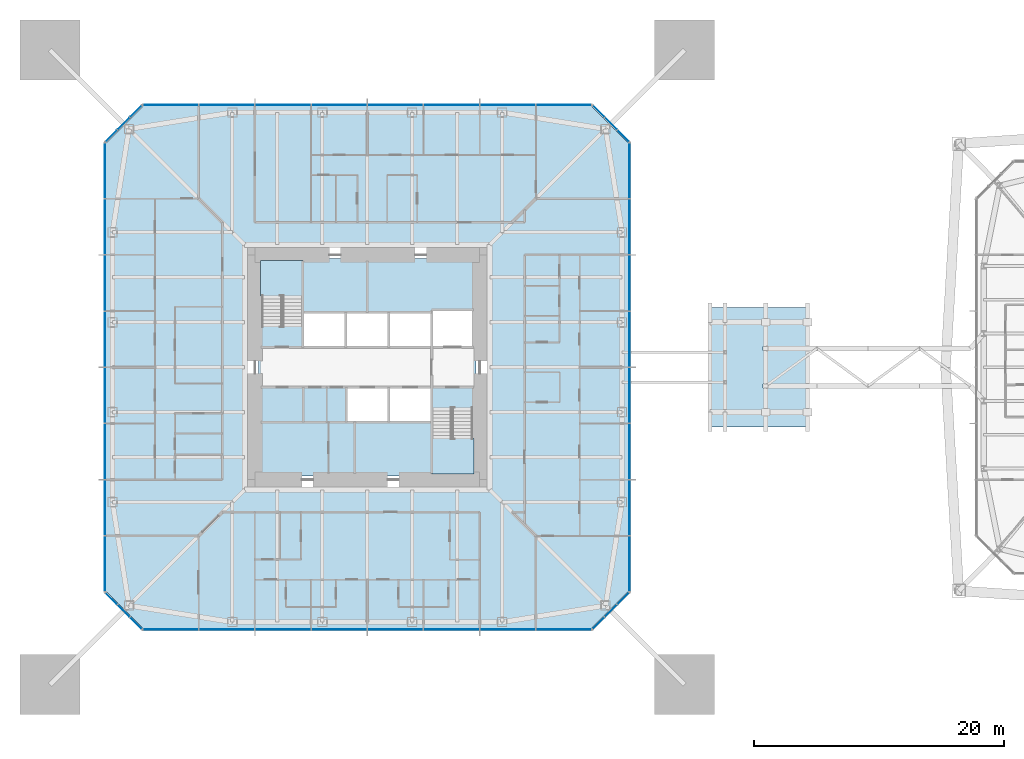
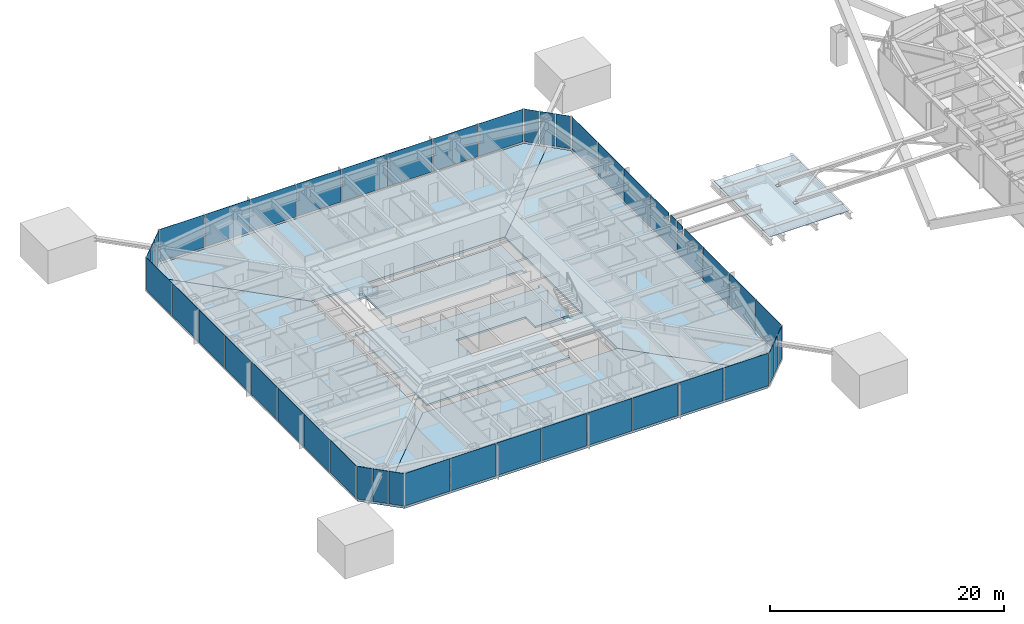
# One storey, part 13 of 27: 49 plates, 8 slabs, 10 elements without a shape of their own.
"""IFC4 building model written with IfcOpenShell, lengths in metres."""

from ifc_helpers import new_model, si_unit, direction, frame, origin, origin_2d, place, context, subcontext, project, spatial, polyline, rectangle, outline, extrude, material, layer, layer_set, constituent, constituent_set, type_object, element, aggregate, save


model = new_model("IFC4")

# Units and contexts
model_context = context("Model", 3, precision=1e-05, world=origin(), true_north=direction((0.0, 1.0)))
body_context = subcontext(model_context, "Body", "Model", "MODEL_VIEW")
ifc_project = project(units=[si_unit("LENGTHUNIT", "METRE"), si_unit("AREAUNIT", "SQUARE_METRE"), si_unit("VOLUMEUNIT", "CUBIC_METRE"), si_unit("PLANEANGLEUNIT", "RADIAN"), si_unit("MASSUNIT", "GRAM", prefix="KILO")], contexts=[model_context])

# Site, building, storey
site_placement = place(None, origin())
site = spatial("IfcSite", under=ifc_project, at=site_placement, CompositionType="ELEMENT")
building_placement = place(site_placement, origin())
building = spatial("IfcBuilding", under=site, at=building_placement, Name="Iwan Alto Co-Living Towers", CompositionType="ELEMENT")
storey_placement = place(building_placement, frame((0.0, 0.0, 94.5)))
storey = spatial("IfcBuildingStorey", under=building, at=storey_placement, Name="L25", CompositionType="ELEMENT", Elevation=94.5)

# Plate
ifc_material_1 = material(Name="Stainless steel ASTM A240 Type 316", Category="steel")
ifc_layer_1 = layer(ifc_material_1, 0.0029296875, Name="Stainless steel facing", Category="Finish")
ifc_material_2 = material(Name="Steel ASTM A36", Category="steel")
ifc_layer_2 = layer(ifc_material_2, 0.037109375, Name="Steel plate", Category="LoadBearing")
ifc_layer_set_1 = layer_set([ifc_layer_1, ifc_layer_2], Name="BRIDGE SLIDE PLATE 40")
plate_type_1 = type_object("IfcPlateType", Name="BRIDGE SLIDE PLATE 40", PredefinedType="USERDEFINED", material=ifc_layer_set_1)
plate_1_placement = place(storey_placement, frame((0.0, 0.0, 2.437744140625)))
element("IfcPlate", 1, at=plate_1_placement, inside=storey, type_object=plate_type_1, Name="Skybridge BR1 slide plate", ObjectType="SLIDE PLATE", PredefinedType="USERDEFINED", context=body_context, shape_type="SweptSolid", body=[
    extrude(outline(polyline([(27.423828125, -4.800048828125), (35.25, -4.800048828125), (35.25, 4.800048828125), (27.423828125, 4.800048828125), (27.423828125, -4.800048828125)]), holes=[polyline([(31.68994140625, -1.659912109375), (32.110107421875, -1.659912109375), (32.110107421875, -1.340087890625), (31.68994140625, -1.340087890625), (31.68994140625, -1.659912109375)]), polyline([(31.68994140625, 1.340087890625), (32.110107421875, 1.340087890625), (32.110107421875, 1.659912109375), (31.68994140625, 1.659912109375), (31.68994140625, 1.340087890625)])]), origin(), (0.0, 0.0, 1.0), 0.0400390625),
])

# Slabs
ifc_material_3 = material(Name="Concrete f'c 30 MPa", Category="concrete")
ifc_layer_3 = layer(ifc_material_3, 0.199951171875)
ifc_layer_set_2 = layer_set([ifc_layer_3], Name="CORE FLOOR SLAB 200")
slab_type_1 = type_object("IfcSlabType", Name="CORE FLOOR SLAB 200", PredefinedType="FLOOR", material=ifc_layer_set_2)
slab_1_placement = place(storey_placement, frame((0.0, 0.0, -0.199951171875)))
element("IfcSlab", 2, at=slab_1_placement, inside=storey, type_object=slab_type_1, Name="T1 core floor L25", PredefinedType="FLOOR", context=body_context, shape_type="SweptSolid", body=[
    extrude(outline(polyline([(5.14990234375, -1.60009765625), (1.72509765625, -1.60009765625), (-1.699951171875, -1.60009765625), (-1.699951171875, -4.39990234375), (1.72509765625, -4.39990234375), (5.14990234375, -4.39990234375), (5.14990234375, -8.39990234375), (5.4599609375, -8.39990234375), (5.4599609375, -8.699951171875), (-8.699951171875, -8.699951171875), (-8.699951171875, 3.580078125), (-8.39990234375, 3.580078125), (-8.39990234375, 3.27001953125), (-5.14990234375, 3.27001953125), (-5.14990234375, 1.60009765625), (-1.717041015625, 1.60009765625), (1.717041015625, 1.60009765625), (5.14990234375, 1.60009765625), (8.39990234375, 1.60009765625), (8.39990234375, 1.909912109375), (8.699951171875, 1.909912109375), (8.699951171875, -3.580078125), (8.39990234375, -3.580078125), (8.39990234375, -3.27001953125), (5.14990234375, -3.27001953125), (5.14990234375, -1.60009765625)])), origin(), (0.0, 0.0, 1.0), 0.199951171875),
])
slab_2_placement = place(storey_placement, frame((0.0, 0.0, -0.199951171875)))
element("IfcSlab", 3, at=slab_2_placement, inside=storey, type_object=slab_type_1, Name="T1 core floor L25", PredefinedType="FLOOR", context=body_context, shape_type="SweptSolid", body=[
    extrude(outline(polyline([(1.717041015625, 4.39990234375), (-1.717041015625, 4.39990234375), (-5.14990234375, 4.39990234375), (-5.14990234375, 8.39990234375), (-5.4599609375, 8.39990234375), (-5.4599609375, 8.699951171875), (8.699951171875, 8.699951171875), (8.699951171875, 4.2900390625), (8.39990234375, 4.2900390625), (8.39990234375, 4.60009765625), (5.14990234375, 4.60009765625), (5.14990234375, 4.39990234375), (1.717041015625, 4.39990234375)])), origin(), (0.0, 0.0, 1.0), 0.199951171875),
])

# Curtain wall, plates
ifc_material_4 = material(Name="Bronze aluminium unitised frame", Category="aluminium")
curtain_wall_type_1 = type_object("IfcCurtainWallType", Name="CURTAIN WALL CW-A", PredefinedType="NOTDEFINED", material=ifc_material_4)
curtain_wall_1_placement = place(storey_placement, origin())
curtain_wall_1 = element("IfcCurtainWall", 4, at=curtain_wall_1_placement, inside=storey, type_object=curtain_wall_type_1, Name="T1 curtain wall S L25", PredefinedType="NOTDEFINED")
ifc_material_5 = material(Name="Bronze-tinted insulating glass", Category="glass")
ifc_layer_4 = layer(ifc_material_5, 0.031982421875)
ifc_layer_set_3 = layer_set([ifc_layer_4], Name="CW-A PANEL TINTED IGU 32")
plate_type_2 = type_object("IfcPlateType", Name="CW-A PANEL TINTED IGU 32", PredefinedType="CURTAIN_PANEL", material=ifc_layer_set_3)
plate_2_placement = place(storey_placement, frame((-15.72998046875, -21.0, 0.10009765625), z_axis=(0.0, 0.0, 1.0), x_axis=(1.0, 0.0, 0.0)))
plate_2 = element("IfcPlate", 5, at=plate_2_placement, type_object=plate_type_2, Name="CW-A panel 1.1", PredefinedType="CURTAIN_PANEL", context=body_context, shape_type="SweptSolid", body=[
    extrude(rectangle(XDim=4.3798828125, YDim=0.031982421875, at=origin_2d()), origin(), (0.0, 0.0, 1.0), 3.39990234375),
])
plate_3_placement = place(storey_placement, frame((-11.25, -21.0, 0.10009765625), z_axis=(0.0, 0.0, 1.0), x_axis=(1.0, 0.0, 0.0)))
plate_3 = element("IfcPlate", 6, at=plate_3_placement, type_object=plate_type_2, Name="CW-A panel 2.1", PredefinedType="CURTAIN_PANEL", context=body_context, shape_type="SweptSolid", body=[
    extrude(rectangle(XDim=4.419921875, YDim=0.031982421875, at=origin_2d()), origin(), (0.0, 0.0, 1.0), 3.39990234375),
])
plate_4_placement = place(storey_placement, frame((-6.75, -21.0, 0.10009765625), z_axis=(0.0, 0.0, 1.0), x_axis=(1.0, 0.0, 0.0)))
plate_4 = element("IfcPlate", 7, at=plate_4_placement, type_object=plate_type_2, Name="CW-A panel 3.1", PredefinedType="CURTAIN_PANEL", context=body_context, shape_type="SweptSolid", body=[
    extrude(rectangle(XDim=4.419921875, YDim=0.031982421875, at=origin_2d()), origin(), (0.0, 0.0, 1.0), 3.39990234375),
])
plate_5_placement = place(storey_placement, frame((-2.25, -21.0, 0.10009765625), z_axis=(0.0, 0.0, 1.0), x_axis=(1.0, 0.0, 0.0)))
plate_5 = element("IfcPlate", 8, at=plate_5_placement, type_object=plate_type_2, Name="CW-A panel 4.1", PredefinedType="CURTAIN_PANEL", context=body_context, shape_type="SweptSolid", body=[
    extrude(rectangle(XDim=4.419921875, YDim=0.031982421875, at=origin_2d()), origin(), (0.0, 0.0, 1.0), 3.39990234375),
])
plate_6_placement = place(storey_placement, frame((2.25, -21.0, 0.10009765625), z_axis=(0.0, 0.0, 1.0), x_axis=(1.0, 0.0, 0.0)))
plate_6 = element("IfcPlate", 9, at=plate_6_placement, type_object=plate_type_2, Name="CW-A panel 5.1", PredefinedType="CURTAIN_PANEL", context=body_context, shape_type="SweptSolid", body=[
    extrude(rectangle(XDim=4.419921875, YDim=0.031982421875, at=origin_2d()), origin(), (0.0, 0.0, 1.0), 3.39990234375),
])
plate_7_placement = place(storey_placement, frame((6.75, -21.0, 0.10009765625), z_axis=(0.0, 0.0, 1.0), x_axis=(1.0, 0.0, 0.0)))
plate_7 = element("IfcPlate", 10, at=plate_7_placement, type_object=plate_type_2, Name="CW-A panel 6.1", PredefinedType="CURTAIN_PANEL", context=body_context, shape_type="SweptSolid", body=[
    extrude(rectangle(XDim=4.419921875, YDim=0.031982421875, at=origin_2d()), origin(), (0.0, 0.0, 1.0), 3.39990234375),
])
plate_8_placement = place(storey_placement, frame((11.25, -21.0, 0.10009765625), z_axis=(0.0, 0.0, 1.0), x_axis=(1.0, 0.0, 0.0)))
plate_8 = element("IfcPlate", 11, at=plate_8_placement, type_object=plate_type_2, Name="CW-A panel 7.1", PredefinedType="CURTAIN_PANEL", context=body_context, shape_type="SweptSolid", body=[
    extrude(rectangle(XDim=4.419921875, YDim=0.031982421875, at=origin_2d()), origin(), (0.0, 0.0, 1.0), 3.39990234375),
])
plate_9_placement = place(storey_placement, frame((15.72998046875, -21.0, 0.10009765625), z_axis=(0.0, 0.0, 1.0), x_axis=(1.0, 0.0, 0.0)))
plate_9 = element("IfcPlate", 12, at=plate_9_placement, type_object=plate_type_2, Name="CW-A panel 8.1", PredefinedType="CURTAIN_PANEL", context=body_context, shape_type="SweptSolid", body=[
    extrude(rectangle(XDim=4.3798828125, YDim=0.031982421875, at=origin_2d()), origin(), (0.0, 0.0, 1.0), 3.39990234375),
])
aggregate(curtain_wall_1, [plate_2, plate_3, plate_4, plate_5, plate_6, plate_7, plate_8, plate_9])

curtain_wall_2_placement = place(storey_placement, origin())
curtain_wall_2 = element("IfcCurtainWall", 13, at=curtain_wall_2_placement, inside=storey, type_object=curtain_wall_type_1, Name="T1 curtain wall E L25", PredefinedType="NOTDEFINED")
plate_10_placement = place(storey_placement, frame((21.0, -15.72998046875, 0.10009765625), z_axis=(0.0, 0.0, 1.0), x_axis=(0.0, 1.0, 0.0)))
plate_10 = element("IfcPlate", 14, at=plate_10_placement, type_object=plate_type_2, Name="CW-A panel 1.1", PredefinedType="CURTAIN_PANEL", context=body_context, shape_type="SweptSolid", body=[
    extrude(rectangle(XDim=4.3798828125, YDim=0.031982421875, at=origin_2d()), origin(), (0.0, 0.0, 1.0), 3.39990234375),
])
plate_11_placement = place(storey_placement, frame((21.0, -11.25, 0.10009765625), z_axis=(0.0, 0.0, 1.0), x_axis=(0.0, 1.0, 0.0)))
plate_11 = element("IfcPlate", 15, at=plate_11_placement, type_object=plate_type_2, Name="CW-A panel 2.1", PredefinedType="CURTAIN_PANEL", context=body_context, shape_type="SweptSolid", body=[
    extrude(rectangle(XDim=4.419921875, YDim=0.031982421875, at=origin_2d()), origin(), (0.0, 0.0, 1.0), 3.39990234375),
])
plate_12_placement = place(storey_placement, frame((21.0, -6.75, 0.10009765625), z_axis=(0.0, 0.0, 1.0), x_axis=(0.0, 1.0, 0.0)))
plate_12 = element("IfcPlate", 16, at=plate_12_placement, type_object=plate_type_2, Name="CW-A panel 3.1", PredefinedType="CURTAIN_PANEL", context=body_context, shape_type="SweptSolid", body=[
    extrude(rectangle(XDim=4.419921875, YDim=0.031982421875, at=origin_2d()), origin(), (0.0, 0.0, 1.0), 3.39990234375),
])
plate_13_placement = place(storey_placement, frame((21.0, -2.25, 0.10009765625), z_axis=(0.0, 0.0, 1.0), x_axis=(0.0, 1.0, 0.0)))
plate_13 = element("IfcPlate", 17, at=plate_13_placement, type_object=plate_type_2, Name="CW-A panel 4.1", PredefinedType="CURTAIN_PANEL", context=body_context, shape_type="SweptSolid", body=[
    extrude(rectangle(XDim=4.419921875, YDim=0.031982421875, at=origin_2d()), origin(), (0.0, 0.0, 1.0), 2.46142578125),
])
plate_14_placement = place(storey_placement, frame((21.0, 2.25, 0.10009765625), z_axis=(0.0, 0.0, 1.0), x_axis=(0.0, 1.0, 0.0)))
plate_14 = element("IfcPlate", 18, at=plate_14_placement, type_object=plate_type_2, Name="CW-A panel 5.1", PredefinedType="CURTAIN_PANEL", context=body_context, shape_type="SweptSolid", body=[
    extrude(rectangle(XDim=4.419921875, YDim=0.031982421875, at=origin_2d()), origin(), (0.0, 0.0, 1.0), 2.46142578125),
])
plate_15_placement = place(storey_placement, frame((21.0, 6.75, 0.10009765625), z_axis=(0.0, 0.0, 1.0), x_axis=(0.0, 1.0, 0.0)))
plate_15 = element("IfcPlate", 19, at=plate_15_placement, type_object=plate_type_2, Name="CW-A panel 6.1", PredefinedType="CURTAIN_PANEL", context=body_context, shape_type="SweptSolid", body=[
    extrude(rectangle(XDim=4.419921875, YDim=0.031982421875, at=origin_2d()), origin(), (0.0, 0.0, 1.0), 3.39990234375),
])
plate_16_placement = place(storey_placement, frame((21.0, 11.25, 0.10009765625), z_axis=(0.0, 0.0, 1.0), x_axis=(0.0, 1.0, 0.0)))
plate_16 = element("IfcPlate", 20, at=plate_16_placement, type_object=plate_type_2, Name="CW-A panel 7.1", PredefinedType="CURTAIN_PANEL", context=body_context, shape_type="SweptSolid", body=[
    extrude(rectangle(XDim=4.419921875, YDim=0.031982421875, at=origin_2d()), origin(), (0.0, 0.0, 1.0), 3.39990234375),
])
plate_17_placement = place(storey_placement, frame((21.0, 15.72998046875, 0.10009765625), z_axis=(0.0, 0.0, 1.0), x_axis=(0.0, 1.0, 0.0)))
plate_17 = element("IfcPlate", 21, at=plate_17_placement, type_object=plate_type_2, Name="CW-A panel 8.1", PredefinedType="CURTAIN_PANEL", context=body_context, shape_type="SweptSolid", body=[
    extrude(rectangle(XDim=4.3798828125, YDim=0.031982421875, at=origin_2d()), origin(), (0.0, 0.0, 1.0), 3.39990234375),
])

curtain_wall_3_placement = place(storey_placement, origin())
curtain_wall_3 = element("IfcCurtainWall", 22, at=curtain_wall_3_placement, inside=storey, type_object=curtain_wall_type_1, Name="T1 curtain wall N L25", PredefinedType="NOTDEFINED")
plate_18_placement = place(storey_placement, frame((15.72998046875, 21.0, 0.10009765625), z_axis=(0.0, 0.0, 1.0), x_axis=(-1.0, 0.0, 0.0)))
plate_18 = element("IfcPlate", 23, at=plate_18_placement, type_object=plate_type_2, Name="CW-A panel 1.1", PredefinedType="CURTAIN_PANEL", context=body_context, shape_type="SweptSolid", body=[
    extrude(rectangle(XDim=4.3798828125, YDim=0.031982421875, at=origin_2d()), origin(), (0.0, 0.0, 1.0), 3.39990234375),
])
plate_19_placement = place(storey_placement, frame((11.25, 21.0, 0.10009765625), z_axis=(0.0, 0.0, 1.0), x_axis=(-1.0, 0.0, 0.0)))
plate_19 = element("IfcPlate", 24, at=plate_19_placement, type_object=plate_type_2, Name="CW-A panel 2.1", PredefinedType="CURTAIN_PANEL", context=body_context, shape_type="SweptSolid", body=[
    extrude(rectangle(XDim=4.419921875, YDim=0.031982421875, at=origin_2d()), origin(), (0.0, 0.0, 1.0), 3.39990234375),
])
plate_20_placement = place(storey_placement, frame((6.75, 21.0, 0.10009765625), z_axis=(0.0, 0.0, 1.0), x_axis=(-1.0, 0.0, 0.0)))
plate_20 = element("IfcPlate", 25, at=plate_20_placement, type_object=plate_type_2, Name="CW-A panel 3.1", PredefinedType="CURTAIN_PANEL", context=body_context, shape_type="SweptSolid", body=[
    extrude(rectangle(XDim=4.419921875, YDim=0.031982421875, at=origin_2d()), origin(), (0.0, 0.0, 1.0), 3.39990234375),
])
plate_21_placement = place(storey_placement, frame((2.25, 21.0, 0.10009765625), z_axis=(0.0, 0.0, 1.0), x_axis=(-1.0, 0.0, 0.0)))
plate_21 = element("IfcPlate", 26, at=plate_21_placement, type_object=plate_type_2, Name="CW-A panel 4.1", PredefinedType="CURTAIN_PANEL", context=body_context, shape_type="SweptSolid", body=[
    extrude(rectangle(XDim=4.419921875, YDim=0.031982421875, at=origin_2d()), origin(), (0.0, 0.0, 1.0), 3.39990234375),
])
plate_22_placement = place(storey_placement, frame((-2.25, 21.0, 0.10009765625), z_axis=(0.0, 0.0, 1.0), x_axis=(-1.0, 0.0, 0.0)))
plate_22 = element("IfcPlate", 27, at=plate_22_placement, type_object=plate_type_2, Name="CW-A panel 5.1", PredefinedType="CURTAIN_PANEL", context=body_context, shape_type="SweptSolid", body=[
    extrude(rectangle(XDim=4.419921875, YDim=0.031982421875, at=origin_2d()), origin(), (0.0, 0.0, 1.0), 3.39990234375),
])
plate_23_placement = place(storey_placement, frame((-6.75, 21.0, 0.10009765625), z_axis=(0.0, 0.0, 1.0), x_axis=(-1.0, 0.0, 0.0)))
plate_23 = element("IfcPlate", 28, at=plate_23_placement, type_object=plate_type_2, Name="CW-A panel 6.1", PredefinedType="CURTAIN_PANEL", context=body_context, shape_type="SweptSolid", body=[
    extrude(rectangle(XDim=4.419921875, YDim=0.031982421875, at=origin_2d()), origin(), (0.0, 0.0, 1.0), 3.39990234375),
])
plate_24_placement = place(storey_placement, frame((-11.25, 21.0, 0.10009765625), z_axis=(0.0, 0.0, 1.0), x_axis=(-1.0, 0.0, 0.0)))
plate_24 = element("IfcPlate", 29, at=plate_24_placement, type_object=plate_type_2, Name="CW-A panel 7.1", PredefinedType="CURTAIN_PANEL", context=body_context, shape_type="SweptSolid", body=[
    extrude(rectangle(XDim=4.419921875, YDim=0.031982421875, at=origin_2d()), origin(), (0.0, 0.0, 1.0), 3.39990234375),
])
plate_25_placement = place(storey_placement, frame((-15.72998046875, 21.0, 0.10009765625), z_axis=(0.0, 0.0, 1.0), x_axis=(-1.0, 0.0, 0.0)))
plate_25 = element("IfcPlate", 30, at=plate_25_placement, type_object=plate_type_2, Name="CW-A panel 8.1", PredefinedType="CURTAIN_PANEL", context=body_context, shape_type="SweptSolid", body=[
    extrude(rectangle(XDim=4.3798828125, YDim=0.031982421875, at=origin_2d()), origin(), (0.0, 0.0, 1.0), 3.39990234375),
])
aggregate(curtain_wall_3, [plate_18, plate_19, plate_20, plate_21, plate_22, plate_23, plate_24, plate_25])

curtain_wall_4_placement = place(storey_placement, origin())
curtain_wall_4 = element("IfcCurtainWall", 31, at=curtain_wall_4_placement, inside=storey, type_object=curtain_wall_type_1, Name="T1 curtain wall W L25", PredefinedType="NOTDEFINED")
plate_26_placement = place(storey_placement, frame((-21.0, 15.72998046875, 0.10009765625), z_axis=(0.0, 0.0, 1.0), x_axis=(0.0, -1.0, 0.0)))
plate_26 = element("IfcPlate", 32, at=plate_26_placement, type_object=plate_type_2, Name="CW-A panel 1.1", PredefinedType="CURTAIN_PANEL", context=body_context, shape_type="SweptSolid", body=[
    extrude(rectangle(XDim=4.3798828125, YDim=0.031982421875, at=origin_2d()), origin(), (0.0, 0.0, 1.0), 3.39990234375),
])
plate_27_placement = place(storey_placement, frame((-21.0, 11.25, 0.10009765625), z_axis=(0.0, 0.0, 1.0), x_axis=(0.0, -1.0, 0.0)))
plate_27 = element("IfcPlate", 33, at=plate_27_placement, type_object=plate_type_2, Name="CW-A panel 2.1", PredefinedType="CURTAIN_PANEL", context=body_context, shape_type="SweptSolid", body=[
    extrude(rectangle(XDim=4.419921875, YDim=0.031982421875, at=origin_2d()), origin(), (0.0, 0.0, 1.0), 3.39990234375),
])
plate_28_placement = place(storey_placement, frame((-21.0, 6.75, 0.10009765625), z_axis=(0.0, 0.0, 1.0), x_axis=(0.0, -1.0, 0.0)))
plate_28 = element("IfcPlate", 34, at=plate_28_placement, type_object=plate_type_2, Name="CW-A panel 3.1", PredefinedType="CURTAIN_PANEL", context=body_context, shape_type="SweptSolid", body=[
    extrude(rectangle(XDim=4.419921875, YDim=0.031982421875, at=origin_2d()), origin(), (0.0, 0.0, 1.0), 3.39990234375),
])
plate_29_placement = place(storey_placement, frame((-21.0, 2.25, 0.10009765625), z_axis=(0.0, 0.0, 1.0), x_axis=(0.0, -1.0, 0.0)))
plate_29 = element("IfcPlate", 35, at=plate_29_placement, type_object=plate_type_2, Name="CW-A panel 4.1", PredefinedType="CURTAIN_PANEL", context=body_context, shape_type="SweptSolid", body=[
    extrude(rectangle(XDim=4.419921875, YDim=0.031982421875, at=origin_2d()), origin(), (0.0, 0.0, 1.0), 3.39990234375),
])
plate_30_placement = place(storey_placement, frame((-21.0, -2.25, 0.10009765625), z_axis=(0.0, 0.0, 1.0), x_axis=(0.0, -1.0, 0.0)))
plate_30 = element("IfcPlate", 36, at=plate_30_placement, type_object=plate_type_2, Name="CW-A panel 5.1", PredefinedType="CURTAIN_PANEL", context=body_context, shape_type="SweptSolid", body=[
    extrude(rectangle(XDim=4.419921875, YDim=0.031982421875, at=origin_2d()), origin(), (0.0, 0.0, 1.0), 3.39990234375),
])
plate_31_placement = place(storey_placement, frame((-21.0, -6.75, 0.10009765625), z_axis=(0.0, 0.0, 1.0), x_axis=(0.0, -1.0, 0.0)))
plate_31 = element("IfcPlate", 37, at=plate_31_placement, type_object=plate_type_2, Name="CW-A panel 6.1", PredefinedType="CURTAIN_PANEL", context=body_context, shape_type="SweptSolid", body=[
    extrude(rectangle(XDim=4.419921875, YDim=0.031982421875, at=origin_2d()), origin(), (0.0, 0.0, 1.0), 3.39990234375),
])
plate_32_placement = place(storey_placement, frame((-21.0, -11.25, 0.10009765625), z_axis=(0.0, 0.0, 1.0), x_axis=(0.0, -1.0, 0.0)))
plate_32 = element("IfcPlate", 38, at=plate_32_placement, type_object=plate_type_2, Name="CW-A panel 7.1", PredefinedType="CURTAIN_PANEL", context=body_context, shape_type="SweptSolid", body=[
    extrude(rectangle(XDim=4.419921875, YDim=0.031982421875, at=origin_2d()), origin(), (0.0, 0.0, 1.0), 3.39990234375),
])
plate_33_placement = place(storey_placement, frame((-21.0, -15.72998046875, 0.10009765625), z_axis=(0.0, 0.0, 1.0), x_axis=(0.0, -1.0, 0.0)))
plate_33 = element("IfcPlate", 39, at=plate_33_placement, type_object=plate_type_2, Name="CW-A panel 8.1", PredefinedType="CURTAIN_PANEL", context=body_context, shape_type="SweptSolid", body=[
    extrude(rectangle(XDim=4.3798828125, YDim=0.031982421875, at=origin_2d()), origin(), (0.0, 0.0, 1.0), 3.39990234375),
])
aggregate(curtain_wall_4, [plate_26, plate_27, plate_28, plate_29, plate_30, plate_31, plate_32, plate_33])

# Plate
ifc_material_6 = material(Name="Insulated bronze aluminium spandrel panel", Category="aluminium")
ifc_layer_5 = layer(ifc_material_6, 0.031982421875)
ifc_layer_set_4 = layer_set([ifc_layer_5], Name="CW-A SPANDREL PANEL 32")
plate_type_3 = type_object("IfcPlateType", Name="CW-A SPANDREL PANEL 32", PredefinedType="CURTAIN_PANEL", material=ifc_layer_set_4)
plate_34_placement = place(storey_placement, frame((21.0, -2.905029296875, 2.66162109375), z_axis=(0.0, 0.0, 1.0), x_axis=(0.0, 1.0, 0.0)))
plate_34 = element("IfcPlate", 40, at=plate_34_placement, type_object=plate_type_3, Name="CW-A spandrel panel 4.1 (bridge seat)", PredefinedType="CURTAIN_PANEL", context=body_context, shape_type="SweptSolid", body=[
    extrude(rectangle(XDim=3.110107421875, YDim=0.031982421875, at=origin_2d()), origin(), (0.0, 0.0, 1.0), 0.83837890625),
])

plate_35_placement = place(storey_placement, frame((21.0, -0.53955078125, 2.66162109375), z_axis=(0.0, 0.0, 1.0), x_axis=(0.0, 1.0, 0.0)))
plate_35 = element("IfcPlate", 41, at=plate_35_placement, type_object=plate_type_3, Name="CW-A spandrel panel 4.2 (bridge seat)", PredefinedType="CURTAIN_PANEL", context=body_context, shape_type="SweptSolid", body=[
    extrude(rectangle(XDim=0.999267578125, YDim=0.031982421875, at=origin_2d()), origin(), (0.0, 0.0, 1.0), 0.83837890625),
])

plate_36_placement = place(storey_placement, frame((21.0, 0.53955078125, 2.66162109375), z_axis=(0.0, 0.0, 1.0), x_axis=(0.0, 1.0, 0.0)))
plate_36 = element("IfcPlate", 42, at=plate_36_placement, type_object=plate_type_3, Name="CW-A spandrel panel 5.1 (bridge seat)", PredefinedType="CURTAIN_PANEL", context=body_context, shape_type="SweptSolid", body=[
    extrude(rectangle(XDim=0.999267578125, YDim=0.031982421875, at=origin_2d()), origin(), (0.0, 0.0, 1.0), 0.83837890625),
])

plate_37_placement = place(storey_placement, frame((21.0, 2.905029296875, 2.66162109375), z_axis=(0.0, 0.0, 1.0), x_axis=(0.0, 1.0, 0.0)))
plate_37 = element("IfcPlate", 43, at=plate_37_placement, type_object=plate_type_3, Name="CW-A spandrel panel 5.2 (bridge seat)", PredefinedType="CURTAIN_PANEL", context=body_context, shape_type="SweptSolid", body=[
    extrude(rectangle(XDim=3.110107421875, YDim=0.031982421875, at=origin_2d()), origin(), (0.0, 0.0, 1.0), 0.83837890625),
])

aggregate(curtain_wall_2, [plate_10, plate_11, plate_12, plate_13, plate_34, plate_35, plate_14, plate_36, plate_37, plate_15, plate_16, plate_17])

# Curtain wall, plates
ifc_material_7 = material(Name="Bronze aluminium unitised frame", Category="aluminium")
curtain_wall_type_2 = type_object("IfcCurtainWallType", Name="CURTAIN WALL CW-B", PredefinedType="NOTDEFINED", material=ifc_material_7)
curtain_wall_5_placement = place(storey_placement, origin())
curtain_wall_5 = element("IfcCurtainWall", 44, at=curtain_wall_5_placement, inside=storey, type_object=curtain_wall_type_2, Name="T1 chamfer curtain wall SE L25", PredefinedType="NOTDEFINED")
ifc_material_8 = material(Name="Bronze-tinted insulating glass", Category="glass")
ifc_layer_6 = layer(ifc_material_8, 0.031982421875)
ifc_layer_set_5 = layer_set([ifc_layer_6], Name="CW-B PANEL TINTED IGU 32")
plate_type_4 = type_object("IfcPlateType", Name="CW-B PANEL TINTED IGU 32", PredefinedType="CURTAIN_PANEL", material=ifc_layer_set_5)
plate_38_placement = place(storey_placement, frame((18.51416015625, -20.48583984375, 0.10009765625), z_axis=(0.0, 0.0, 1.0), x_axis=(0.707106781187, 0.707106781187, 0.0)))
plate_38 = element("IfcPlate", 45, at=plate_38_placement, type_object=plate_type_4, Name="CW-B panel 1.1", PredefinedType="CURTAIN_PANEL", context=body_context, shape_type="SweptSolid", body=[
    extrude(rectangle(XDim=1.294189453125, YDim=0.031982421875, at=origin_2d()), origin(), (0.0, 0.0, 1.0), 3.39990234375),
])
plate_39_placement = place(storey_placement, frame((19.5, -19.5, 0.10009765625), z_axis=(0.0, 0.0, 1.0), x_axis=(0.707106781187, 0.707106781187, 0.0)))
plate_39 = element("IfcPlate", 46, at=plate_39_placement, type_object=plate_type_4, Name="CW-B panel 2.1", PredefinedType="CURTAIN_PANEL", context=body_context, shape_type="SweptSolid", body=[
    extrude(rectangle(XDim=1.334228515625, YDim=0.031982421875, at=origin_2d()), origin(), (0.0, 0.0, 1.0), 3.39990234375),
])
plate_40_placement = place(storey_placement, frame((20.48583984375, -18.51416015625, 0.10009765625), z_axis=(0.0, 0.0, 1.0), x_axis=(0.707106781187, 0.707106781187, 0.0)))
plate_40 = element("IfcPlate", 47, at=plate_40_placement, type_object=plate_type_4, Name="CW-B panel 3.1", PredefinedType="CURTAIN_PANEL", context=body_context, shape_type="SweptSolid", body=[
    extrude(rectangle(XDim=1.294189453125, YDim=0.031982421875, at=origin_2d()), origin(), (0.0, 0.0, 1.0), 3.39990234375),
])
aggregate(curtain_wall_5, [plate_38, plate_39, plate_40])

curtain_wall_6_placement = place(storey_placement, origin())
curtain_wall_6 = element("IfcCurtainWall", 48, at=curtain_wall_6_placement, inside=storey, type_object=curtain_wall_type_2, Name="T1 chamfer curtain wall NE L25", PredefinedType="NOTDEFINED")
plate_41_placement = place(storey_placement, frame((20.48583984375, 18.51416015625, 0.10009765625), z_axis=(0.0, 0.0, 1.0), x_axis=(-0.707106781187, 0.707106781187, 0.0)))
plate_41 = element("IfcPlate", 49, at=plate_41_placement, type_object=plate_type_4, Name="CW-B panel 1.1", PredefinedType="CURTAIN_PANEL", context=body_context, shape_type="SweptSolid", body=[
    extrude(rectangle(XDim=1.294189453125, YDim=0.031982421875, at=origin_2d()), origin(), (0.0, 0.0, 1.0), 3.39990234375),
])
plate_42_placement = place(storey_placement, frame((19.5, 19.5, 0.10009765625), z_axis=(0.0, 0.0, 1.0), x_axis=(-0.707106781187, 0.707106781187, 0.0)))
plate_42 = element("IfcPlate", 50, at=plate_42_placement, type_object=plate_type_4, Name="CW-B panel 2.1", PredefinedType="CURTAIN_PANEL", context=body_context, shape_type="SweptSolid", body=[
    extrude(rectangle(XDim=1.334228515625, YDim=0.031982421875, at=origin_2d()), origin(), (0.0, 0.0, 1.0), 3.39990234375),
])
plate_43_placement = place(storey_placement, frame((18.51416015625, 20.48583984375, 0.10009765625), z_axis=(0.0, 0.0, 1.0), x_axis=(-0.707106781187, 0.707106781187, 0.0)))
plate_43 = element("IfcPlate", 51, at=plate_43_placement, type_object=plate_type_4, Name="CW-B panel 3.1", PredefinedType="CURTAIN_PANEL", context=body_context, shape_type="SweptSolid", body=[
    extrude(rectangle(XDim=1.294189453125, YDim=0.031982421875, at=origin_2d()), origin(), (0.0, 0.0, 1.0), 3.39990234375),
])
aggregate(curtain_wall_6, [plate_41, plate_42, plate_43])

curtain_wall_7_placement = place(storey_placement, origin())
curtain_wall_7 = element("IfcCurtainWall", 52, at=curtain_wall_7_placement, inside=storey, type_object=curtain_wall_type_2, Name="T1 chamfer curtain wall NW L25", PredefinedType="NOTDEFINED")
plate_44_placement = place(storey_placement, frame((-18.51416015625, 20.48583984375, 0.10009765625), z_axis=(0.0, 0.0, 1.0), x_axis=(-0.707106781187, -0.707106781187, 0.0)))
plate_44 = element("IfcPlate", 53, at=plate_44_placement, type_object=plate_type_4, Name="CW-B panel 1.1", PredefinedType="CURTAIN_PANEL", context=body_context, shape_type="SweptSolid", body=[
    extrude(rectangle(XDim=1.294189453125, YDim=0.031982421875, at=origin_2d()), origin(), (0.0, 0.0, 1.0), 3.39990234375),
])
plate_45_placement = place(storey_placement, frame((-19.5, 19.5, 0.10009765625), z_axis=(0.0, 0.0, 1.0), x_axis=(-0.707106781187, -0.707106781187, 0.0)))
plate_45 = element("IfcPlate", 54, at=plate_45_placement, type_object=plate_type_4, Name="CW-B panel 2.1", PredefinedType="CURTAIN_PANEL", context=body_context, shape_type="SweptSolid", body=[
    extrude(rectangle(XDim=1.334228515625, YDim=0.031982421875, at=origin_2d()), origin(), (0.0, 0.0, 1.0), 3.39990234375),
])
plate_46_placement = place(storey_placement, frame((-20.48583984375, 18.51416015625, 0.10009765625), z_axis=(0.0, 0.0, 1.0), x_axis=(-0.707106781187, -0.707106781187, 0.0)))
plate_46 = element("IfcPlate", 55, at=plate_46_placement, type_object=plate_type_4, Name="CW-B panel 3.1", PredefinedType="CURTAIN_PANEL", context=body_context, shape_type="SweptSolid", body=[
    extrude(rectangle(XDim=1.294189453125, YDim=0.031982421875, at=origin_2d()), origin(), (0.0, 0.0, 1.0), 3.39990234375),
])
aggregate(curtain_wall_7, [plate_44, plate_45, plate_46])

curtain_wall_8_placement = place(storey_placement, origin())
curtain_wall_8 = element("IfcCurtainWall", 56, at=curtain_wall_8_placement, inside=storey, type_object=curtain_wall_type_2, Name="T1 chamfer curtain wall SW L25", PredefinedType="NOTDEFINED")
plate_47_placement = place(storey_placement, frame((-20.48583984375, -18.51416015625, 0.10009765625), z_axis=(0.0, 0.0, 1.0), x_axis=(0.707106781187, -0.707106781187, 0.0)))
plate_47 = element("IfcPlate", 57, at=plate_47_placement, type_object=plate_type_4, Name="CW-B panel 1.1", PredefinedType="CURTAIN_PANEL", context=body_context, shape_type="SweptSolid", body=[
    extrude(rectangle(XDim=1.294189453125, YDim=0.031982421875, at=origin_2d()), origin(), (0.0, 0.0, 1.0), 3.39990234375),
])
plate_48_placement = place(storey_placement, frame((-19.5, -19.5, 0.10009765625), z_axis=(0.0, 0.0, 1.0), x_axis=(0.707106781187, -0.707106781187, 0.0)))
plate_48 = element("IfcPlate", 58, at=plate_48_placement, type_object=plate_type_4, Name="CW-B panel 2.1", PredefinedType="CURTAIN_PANEL", context=body_context, shape_type="SweptSolid", body=[
    extrude(rectangle(XDim=1.334228515625, YDim=0.031982421875, at=origin_2d()), origin(), (0.0, 0.0, 1.0), 3.39990234375),
])
plate_49_placement = place(storey_placement, frame((-18.51416015625, -20.48583984375, 0.10009765625), z_axis=(0.0, 0.0, 1.0), x_axis=(0.707106781187, -0.707106781187, 0.0)))
plate_49 = element("IfcPlate", 59, at=plate_49_placement, type_object=plate_type_4, Name="CW-B panel 3.1", PredefinedType="CURTAIN_PANEL", context=body_context, shape_type="SweptSolid", body=[
    extrude(rectangle(XDim=1.294189453125, YDim=0.031982421875, at=origin_2d()), origin(), (0.0, 0.0, 1.0), 3.39990234375),
])
aggregate(curtain_wall_8, [plate_47, plate_48, plate_49])

# Stair, slab
ifc_constituent_1 = constituent(ifc_material_2, Name="Stringers", Category="LoadBearing")
ifc_material_9 = material(Name="Concrete f'c 30 MPa", Category="concrete")
ifc_constituent_2 = constituent(ifc_material_9, Name="Tread fill", Category="Finish")
ifc_constituent_set = constituent_set(constituents=[ifc_constituent_1, ifc_constituent_2], Name="STAIR 3500 TWO-FLIGHT T1 CORE")
stair_type = type_object("IfcStairType", Name="STAIR 3500 TWO-FLIGHT T1 CORE", PredefinedType="HALF_TURN_STAIR", material=ifc_constituent_set)
stair_1_placement = place(storey_placement, origin())
stair_1 = element("IfcStair", 60, at=stair_1_placement, inside=storey, type_object=stair_type, Name="Stair T1-S1 L25 to L26", PredefinedType="HALF_TURN_STAIR")
ifc_material_10 = material(Name="Concrete f'c 30 MPa", Category="concrete")
ifc_layer_7 = layer(ifc_material_10, 0.199951171875)
ifc_layer_set_6 = layer_set([ifc_layer_7], Name="STAIR LANDING 200")
slab_type_2 = type_object("IfcSlabType", Name="STAIR LANDING 200", PredefinedType="LANDING", material=ifc_layer_set_6)
slab_3_placement = place(storey_placement, frame((0.0, 0.0, 1.550048828125)))
slab_3 = element("IfcSlab", 61, at=slab_3_placement, type_object=slab_type_2, Name="T1-S1 landing 1", PredefinedType="LANDING", context=body_context, shape_type="SweptSolid", body=[
    extrude(outline(polyline([(-8.550048828125, 5.68994140625), (-8.550048828125, 8.550048828125), (-5.14990234375, 8.550048828125), (-5.14990234375, 5.68994140625), (-8.550048828125, 5.68994140625)])), origin(), (0.0, 0.0, 1.0), 0.199951171875),
])
aggregate(stair_1, [slab_3])

stair_2_placement = place(storey_placement, origin())
stair_2 = element("IfcStair", 62, at=stair_2_placement, inside=storey, type_object=stair_type, Name="Stair T1-S2 L25 to L26", PredefinedType="HALF_TURN_STAIR")
slab_4_placement = place(storey_placement, frame((0.0, 0.0, 1.550048828125)))
slab_4 = element("IfcSlab", 63, at=slab_4_placement, type_object=slab_type_2, Name="T1-S2 landing 1", PredefinedType="LANDING", context=body_context, shape_type="SweptSolid", body=[
    extrude(outline(polyline([(5.14990234375, -5.68994140625), (5.14990234375, -8.550048828125), (8.550048828125, -8.550048828125), (8.550048828125, -5.68994140625), (5.14990234375, -5.68994140625)])), origin(), (0.0, 0.0, 1.0), 0.199951171875),
])
aggregate(stair_2, [slab_4])

# Slabs
ifc_material_11 = material(Name="Concrete f'c 30 MPa", Category="concrete")
ifc_layer_8 = layer(ifc_material_11, 0.22998046875)
ifc_layer_set_7 = layer_set([ifc_layer_8], Name="T1 FLOOR SLAB 230")
slab_type_3 = type_object("IfcSlabType", Name="T1 FLOOR SLAB 230", PredefinedType="FLOOR", material=ifc_layer_set_7)
slab_5_placement = place(storey_placement, frame((0.0, 0.0, -0.22998046875)))
element("IfcSlab", 64, at=slab_5_placement, inside=storey, type_object=slab_type_3, Name="T1 floor slab L25 S pour", PredefinedType="FLOOR", context=body_context, shape_type="SweptSolid", body=[
    extrude(outline(polyline([(17.94140625, -20.89990234375), (-17.94140625, -20.89990234375), (-19.420654296875, -19.420654296875), (-9.60009765625, -9.60009765625), (9.60009765625, -9.60009765625), (19.420654296875, -19.420654296875), (17.94140625, -20.89990234375)])), origin(), (0.0, 0.0, 1.0), 0.22998046875),
])
slab_6_placement = place(storey_placement, frame((0.0, 0.0, -0.22998046875)))
element("IfcSlab", 65, at=slab_6_placement, inside=storey, type_object=slab_type_3, Name="T1 floor slab L25 E pour", PredefinedType="FLOOR", context=body_context, shape_type="SweptSolid", body=[
    extrude(outline(polyline([(20.89990234375, 17.94140625), (20.89990234375, -17.94140625), (19.420654296875, -19.420654296875), (9.60009765625, -9.60009765625), (9.60009765625, 9.60009765625), (19.420654296875, 19.420654296875), (20.89990234375, 17.94140625)])), origin(), (0.0, 0.0, 1.0), 0.22998046875),
])
slab_7_placement = place(storey_placement, frame((0.0, 0.0, -0.22998046875)))
element("IfcSlab", 66, at=slab_7_placement, inside=storey, type_object=slab_type_3, Name="T1 floor slab L25 N pour", PredefinedType="FLOOR", context=body_context, shape_type="SweptSolid", body=[
    extrude(outline(polyline([(-17.94140625, 20.89990234375), (17.94140625, 20.89990234375), (19.420654296875, 19.420654296875), (9.60009765625, 9.60009765625), (-9.60009765625, 9.60009765625), (-19.420654296875, 19.420654296875), (-17.94140625, 20.89990234375)])), origin(), (0.0, 0.0, 1.0), 0.22998046875),
])
slab_8_placement = place(storey_placement, frame((0.0, 0.0, -0.22998046875)))
element("IfcSlab", 67, at=slab_8_placement, inside=storey, type_object=slab_type_3, Name="T1 floor slab L25 W pour", PredefinedType="FLOOR", context=body_context, shape_type="SweptSolid", body=[
    extrude(outline(polyline([(-20.89990234375, 17.94140625), (-19.420654296875, 19.420654296875), (-9.60009765625, 9.60009765625), (-9.60009765625, -9.60009765625), (-19.420654296875, -19.420654296875), (-20.89990234375, -17.94140625), (-20.89990234375, 17.94140625)])), origin(), (0.0, 0.0, 1.0), 0.22998046875),
])

save(model, "model.ifc")
